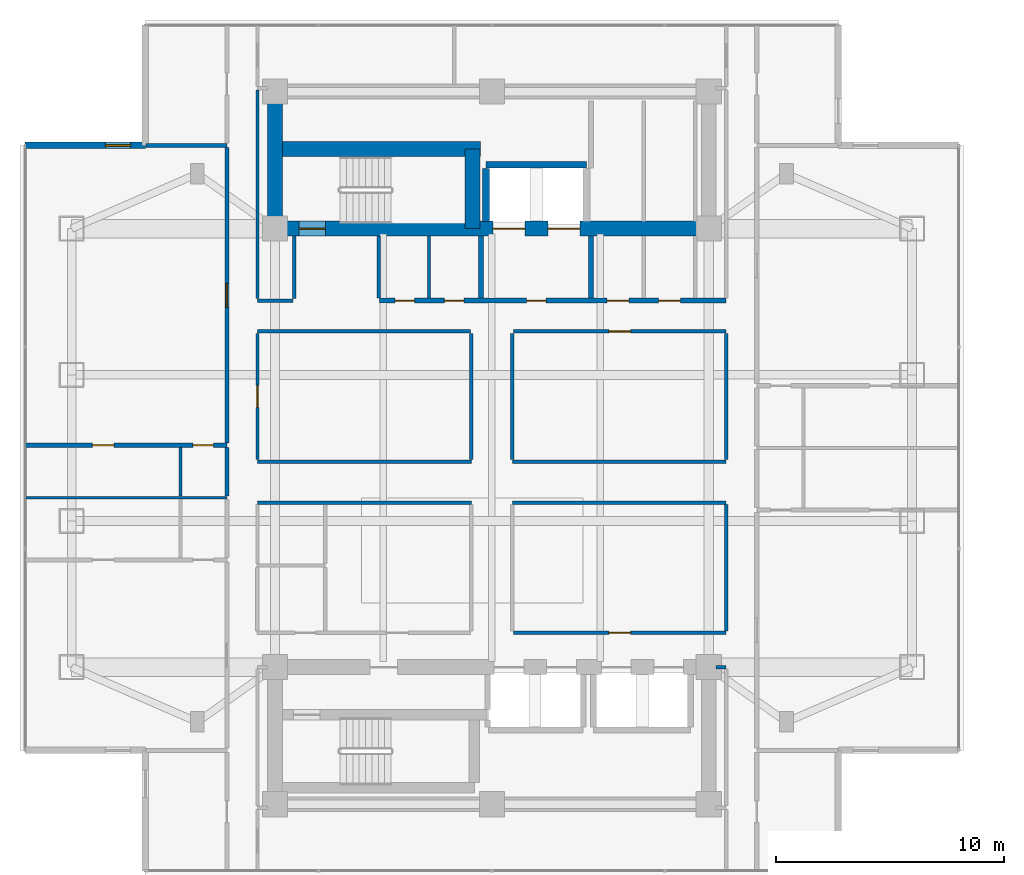
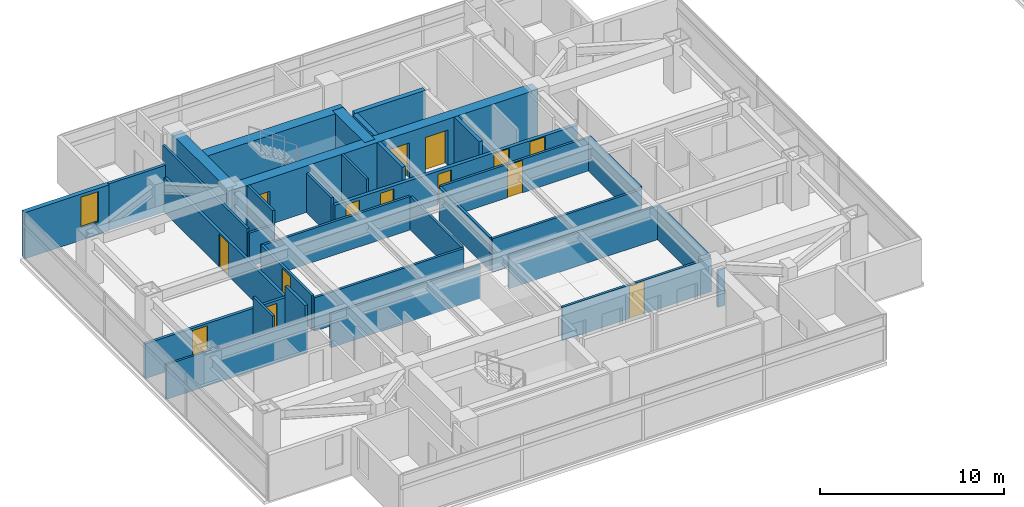
# One storey, part 15 of 27: 34 walls, 14 doors, 1 window, 15 openings.
"""IFC4 building model written with IfcOpenShell, lengths in metres."""

from ifc_helpers import new_model, si_unit, direction, frame, frame_2d, origin, place, context, subcontext, project, spatial, rectangle, extrude, material, layer, layer_set, type_object, element, fill, save


model = new_model("IFC4")

# Units and contexts
model_context = context("Model", 3, precision=1e-05, world=origin(), true_north=direction((0.0, 1.0)))
body_context = subcontext(model_context, "Body", "Model", "MODEL_VIEW")
ifc_project = project(units=[si_unit("LENGTHUNIT", "METRE"), si_unit("AREAUNIT", "SQUARE_METRE"), si_unit("VOLUMEUNIT", "CUBIC_METRE"), si_unit("PLANEANGLEUNIT", "RADIAN"), si_unit("MASSUNIT", "GRAM", prefix="KILO")], contexts=[model_context])

# Site, building, storey
site_placement = place(None, origin())
site = spatial("IfcSite", under=ifc_project, at=site_placement, CompositionType="ELEMENT")
building_placement = place(site_placement, origin())
building = spatial("IfcBuilding", under=site, at=building_placement, Name="Mirazonda Arch Towers", CompositionType="ELEMENT")
storey_placement = place(building_placement, frame((0.0, 0.0, 124.699951171875)))
storey = spatial("IfcBuildingStorey", under=building, at=storey_placement, Name="L35", CompositionType="ELEMENT", Elevation=124.699951171875)

# Wall
ifc_material_1 = material(Name="Concrete C60/75", Category="concrete")
ifc_layer_1 = layer(ifc_material_1, 0.64990234375, Name="WALL-CORE-650")
ifc_layer_set_1 = layer_set([ifc_layer_1], Name="Concrete C60/75")
wall_type_1 = type_object("IfcWallType", Name="WALL-CORE-650", PredefinedType="SHEAR", material=ifc_layer_set_1)
wall_1_placement = place(storey_placement, frame((11.0, 37.60009765625, 0.0), z_axis=(0.0, 0.0, 1.0), x_axis=(0.0, 1.0, 0.0)))
element("IfcWall", 1, at=wall_1_placement, inside=storey, type_object=wall_type_1, Name="L35 T1N-W Core Shear Wall", PredefinedType="SHEAR", context=body_context, shape_type="SweptSolid", body=[
    extrude(rectangle(XDim=6.0, YDim=0.64990234375, at=frame_2d((3.0, 0.0))), origin(), (0.0, 0.0, 1.0), 3.080078125),
])

# Wall, openings, doors
wall_2_placement = place(storey_placement, frame((11.0, 37.60009765625, 0.0), z_axis=(0.0, 0.0, 1.0), x_axis=(1.0, 0.0, 0.0)))
wall_2 = element("IfcWall", 2, at=wall_2_placement, inside=storey, type_object=wall_type_1, Name="L35 T1N-S Core Shear Wall", PredefinedType="SHEAR", context=body_context, shape_type="SweptSolid", body=[
    extrude(rectangle(XDim=19.0, YDim=0.64990234375, at=frame_2d((9.5, 0.0))), origin(), (0.0, 0.0, 1.0), 3.080078125),
])
opening_1_placement = place(wall_2_placement, frame((1.06005859375, 0.0, 0.0)))
opening_1 = element("IfcOpeningElement", 3, at=opening_1_placement, cuts=wall_2, Name="Opening DR-135", PredefinedType="OPENING", context=body_context, shape_type="SweptSolid", body=[
    extrude(rectangle(XDim=1.14990234375, YDim=2.199951171875, at=frame_2d((0.574951171875, 1.10009765625))), frame((0.0, 0.3349609375, 0.0), z_axis=(0.0, -1.0, 0.0), x_axis=(1.0, 0.0, 0.0)), (0.0, 0.0, 1.0), 0.669921875),
])
opening_2_placement = place(wall_2_placement, frame((9.550048828125, 0.0, 0.0)))
opening_2 = element("IfcOpeningElement", 4, at=opening_2_placement, cuts=wall_2, Name="Opening LD-112", PredefinedType="OPENING", context=body_context, shape_type="SweptSolid", body=[
    extrude(rectangle(XDim=1.39990234375, YDim=2.35009765625, at=frame_2d((0.699951171875, 1.175048828125))), frame((0.0, 0.3349609375, 0.0), z_axis=(0.0, -1.0, 0.0), x_axis=(1.0, 0.0, 0.0)), (0.0, 0.0, 1.0), 0.669921875),
])
opening_3_placement = place(wall_2_placement, frame((11.949951171875, 0.0, 0.0)))
opening_3 = element("IfcOpeningElement", 5, at=opening_3_placement, cuts=wall_2, Name="Opening LD-112", PredefinedType="OPENING", context=body_context, shape_type="SweptSolid", body=[
    extrude(rectangle(XDim=1.39990234375, YDim=2.35009765625, at=frame_2d((0.699951171875, 1.175048828125))), frame((0.0, 0.3349609375, 0.0), z_axis=(0.0, -1.0, 0.0), x_axis=(1.0, 0.0, 0.0)), (0.0, 0.0, 1.0), 0.669921875),
])
ifc_material_2 = material(Name="Architectural Brushed Steel S355", Category="steel")
door_type_1 = type_object("IfcDoorType", Name="DOOR-LIFT-FFL-1400", OperationType="NOTDEFINED", PredefinedType="DOOR", material=ifc_material_2)
door_1_placement = place(opening_2_placement, origin())
door_1 = element("IfcDoor", 6, at=door_1_placement, inside=storey, type_object=door_type_1, Name="L35 Lift Landing Sliding Door FFL-T1", OperationType="DOUBLE_DOOR_SLIDING", OverallHeight=2.35009765625, OverallWidth=1.39990234375, PredefinedType="DOOR", context=body_context, shape_type="SweptSolid", body=[
    extrude(rectangle(XDim=1.39990234375, YDim=2.35009765625, at=frame_2d((0.699951171875, 1.175048828125))), frame((0.0, 0.02490234375, 0.0), z_axis=(0.0, -1.0, 0.0), x_axis=(1.0, 0.0, 0.0)), (0.0, 0.0, 1.0), 0.050048828125),
])
fill(opening_2, door_1)
door_2_placement = place(opening_3_placement, origin())
door_2 = element("IfcDoor", 7, at=door_2_placement, inside=storey, type_object=door_type_1, Name="L35 Lift Landing Sliding Door SVL-T1", OperationType="DOUBLE_DOOR_SLIDING", OverallHeight=2.35009765625, OverallWidth=1.39990234375, PredefinedType="DOOR", context=body_context, shape_type="SweptSolid", body=[
    extrude(rectangle(XDim=1.39990234375, YDim=2.35009765625, at=frame_2d((0.699951171875, 1.175048828125))), frame((0.0, 0.02490234375, 0.0), z_axis=(0.0, -1.0, 0.0), x_axis=(1.0, 0.0, 0.0)), (0.0, 0.0, 1.0), 0.050048828125),
])
fill(opening_3, door_2)
door_type_2 = type_object("IfcDoorType", Name="DOOR-STAIR-FD90-1150", OperationType="NOTDEFINED", PredefinedType="DOOR", material=ifc_material_2)
door_3_placement = place(opening_1_placement, origin())
door_3 = element("IfcDoor", 8, at=door_3_placement, inside=storey, type_object=door_type_2, Name="L35 Protected Exit Stair North Door", OperationType="SINGLE_SWING_RIGHT", OverallHeight=2.199951171875, OverallWidth=1.14990234375, PredefinedType="DOOR", context=body_context, shape_type="SweptSolid", body=[
    extrude(rectangle(XDim=1.14990234375, YDim=2.199951171875, at=frame_2d((0.574951171875, 1.10009765625))), frame((0.0, 0.02490234375, 0.0), z_axis=(0.0, -1.0, 0.0), x_axis=(1.0, 0.0, 0.0)), (0.0, 0.0, 1.0), 0.050048828125),
])
fill(opening_1, door_3)

# Walls
wall_3_placement = place(storey_placement, frame((11.0, 41.093017578125, 0.0), z_axis=(0.0, 0.0, 1.0), x_axis=(1.0, 0.0, 0.0)))
element("IfcWall", 9, at=wall_3_placement, inside=storey, type_object=wall_type_1, Name="L35 T1N-STN Core Shear Wall", PredefinedType="SHEAR", context=body_context, shape_type="SweptSolid", body=[
    extrude(rectangle(XDim=9.0, YDim=0.64990234375, at=frame_2d((4.5, 0.0))), origin(), (0.0, 0.0, 1.0), 3.080078125),
])
wall_4_placement = place(storey_placement, frame((19.64990234375, 37.60009765625, 0.0), z_axis=(0.0, 0.0, 1.0), x_axis=(0.0, 1.0, 0.0)))
element("IfcWall", 10, at=wall_4_placement, inside=storey, type_object=wall_type_1, Name="L35 T1N-STE Core Shear Wall", PredefinedType="SHEAR", context=body_context, shape_type="SweptSolid", body=[
    extrude(rectangle(XDim=3.492919921875, YDim=0.64990234375, at=frame_2d((1.74658203125, 0.0))), origin(), (0.0, 0.0, 1.0), 3.080078125),
])

# Wall, opening, window
ifc_material_3 = material(Name="Precast Concrete C40/50", Category="concrete")
ifc_layer_2 = layer(ifc_material_3, 0.280029296875, Name="WALL-EXT-WALL-280")
ifc_layer_set_2 = layer_set([ifc_layer_2], Name="Precast Concrete C40/50")
wall_type_2 = type_object("IfcWallType", Name="WALL-EXT-WALL-280", PredefinedType="SOLIDWALL", material=ifc_layer_set_2)
wall_5_placement = place(storey_placement, frame((5.330078125, 41.24609375, 0.0), z_axis=(0.0, 0.0, 1.0), x_axis=(-1.0, 0.0, 0.0)))
wall_5 = element("IfcWall", 11, at=wall_5_placement, inside=storey, type_object=wall_type_2, Name="L35 T1 Corner Notch Return Wall WL-L35-T1-CNW1", PredefinedType="SOLIDWALL", context=body_context, shape_type="SweptSolid", body=[
    extrude(rectangle(XDim=5.27001953125, YDim=0.280029296875, at=frame_2d((2.635009765625, 0.0))), origin(), (0.0, 0.0, 1.0), 3.06005859375),
])
opening_4_placement = place(wall_5_placement, frame((0.64990234375, 0.0, 0.85009765625)))
opening_4 = element("IfcOpeningElement", 12, at=opening_4_placement, cuts=wall_5, Name="Opening WN-108", PredefinedType="OPENING", context=body_context, shape_type="SweptSolid", body=[
    extrude(rectangle(XDim=1.10009765625, YDim=2.0, at=frame_2d((0.550048828125, 1.0))), frame((0.0, 0.14990234375, 0.0), z_axis=(0.0, -1.0, 0.0), x_axis=(1.0, 0.0, 0.0)), (0.0, 0.0, 1.0), 0.300048828125),
])
ifc_material_4 = material(Name="Insulated Low-E Solar Glass", Category="glass")
window_type = type_object("IfcWindowType", Name="WIN-NOTCH-1100x2000", PartitioningType="SINGLE_PANEL", PredefinedType="WINDOW", material=ifc_material_4)
window_placement = place(opening_4_placement, origin())
window = element("IfcWindow", 13, at=window_placement, inside=storey, type_object=window_type, Name="L35 Punched Facade Window WN-L35-T1-CNW1", OverallHeight=2.0, OverallWidth=1.10009765625, PartitioningType="SINGLE_PANEL", PredefinedType="WINDOW", context=body_context, shape_type="SweptSolid", body=[
    extrude(rectangle(XDim=1.10009765625, YDim=2.0, at=frame_2d((0.550048828125, 1.0))), frame((0.0, 0.030029296875, 0.0), z_axis=(0.0, -1.0, 0.0), x_axis=(1.0, 0.0, 0.0)), (0.0, 0.0, 1.0), 0.06005859375),
])
fill(opening_4, window)

# Wall, openings, doors
ifc_material_5 = material(Name="Concrete C40/50", Category="concrete")
ifc_layer_3 = layer(ifc_material_5, 0.219970703125, Name="WALL-FFL-220")
ifc_layer_set_3 = layer_set([ifc_layer_3], Name="Concrete C40/50")
wall_type_3 = type_object("IfcWallType", Name="WALL-FFL-220", PredefinedType="SOLIDWALL", material=ifc_layer_set_3)
wall_6_placement = place(storey_placement, frame((15.590087890625, 34.449951171875, 0.0), z_axis=(0.0, 0.0, 1.0), x_axis=(1.0, 0.0, 0.0)))
wall_6 = element("IfcWall", 14, at=wall_6_placement, inside=storey, type_object=wall_type_3, Name="L35 Interior Partition 046", PredefinedType="SOLIDWALL", context=body_context, shape_type="SweptSolid", body=[
    extrude(rectangle(XDim=15.169921875, YDim=0.219970703125, at=frame_2d((7.5849609375, 0.0))), origin(), (0.0, 0.0, 1.0), 2.216064453125),
])
opening_5_placement = place(wall_6_placement, frame((6.43505859375, 0.0, 0.0)))
opening_5 = element("IfcOpeningElement", 15, at=opening_5_placement, cuts=wall_6, Name="Opening DR-128", PredefinedType="OPENING", context=body_context, shape_type="SweptSolid", body=[
    extrude(rectangle(XDim=0.85009765625, YDim=2.010009765625, at=frame_2d((0.425048828125, 1.0048828125))), frame((0.0, 0.119873046875, 0.0), z_axis=(0.0, -1.0, 0.0), x_axis=(1.0, 0.0, 0.0)), (0.0, 0.0, 1.0), 0.239990234375),
])
opening_6_placement = place(wall_6_placement, frame((9.9599609375, 0.0, 0.0)))
opening_6 = element("IfcOpeningElement", 16, at=opening_6_placement, cuts=wall_6, Name="Opening DR-104", PredefinedType="OPENING", context=body_context, shape_type="SweptSolid", body=[
    extrude(rectangle(XDim=0.949951171875, YDim=2.14990234375, at=frame_2d((0.47509765625, 1.074951171875))), frame((0.0, 0.119873046875, 0.0), z_axis=(0.0, -1.0, 0.0), x_axis=(1.0, 0.0, 0.0)), (0.0, 0.0, 1.0), 0.239990234375),
])
opening_7_placement = place(wall_6_placement, frame((12.2099609375, 0.0, 0.0)))
opening_7 = element("IfcOpeningElement", 17, at=opening_7_placement, cuts=wall_6, Name="Opening DR-104", PredefinedType="OPENING", context=body_context, shape_type="SweptSolid", body=[
    extrude(rectangle(XDim=0.949951171875, YDim=2.14990234375, at=frame_2d((0.47509765625, 1.074951171875))), frame((0.0, 0.119873046875, 0.0), z_axis=(0.0, -1.0, 0.0), x_axis=(1.0, 0.0, 0.0)), (0.0, 0.0, 1.0), 0.239990234375),
])
opening_8_placement = place(wall_6_placement, frame((0.675048828125, 0.0, 0.0)))
opening_8 = element("IfcOpeningElement", 18, at=opening_8_placement, cuts=wall_6, Name="Opening DR-128", PredefinedType="OPENING", context=body_context, shape_type="SweptSolid", body=[
    extrude(rectangle(XDim=0.85009765625, YDim=2.010009765625, at=frame_2d((0.425048828125, 1.0048828125))), frame((0.0, 0.119873046875, 0.0), z_axis=(0.0, -1.0, 0.0), x_axis=(1.0, 0.0, 0.0)), (0.0, 0.0, 1.0), 0.239990234375),
])
opening_9_placement = place(wall_6_placement, frame((2.8349609375, 0.0, 0.0)))
opening_9 = element("IfcOpeningElement", 19, at=opening_9_placement, cuts=wall_6, Name="Opening DR-128", PredefinedType="OPENING", context=body_context, shape_type="SweptSolid", body=[
    extrude(rectangle(XDim=0.85009765625, YDim=2.010009765625, at=frame_2d((0.425048828125, 1.0048828125))), frame((0.0, 0.119873046875, 0.0), z_axis=(0.0, -1.0, 0.0), x_axis=(1.0, 0.0, 0.0)), (0.0, 0.0, 1.0), 0.239990234375),
])
door_type_3 = type_object("IfcDoorType", Name="DOOR-RISER-FD60-850", OperationType="NOTDEFINED", PredefinedType="DOOR", material=ifc_material_2)
door_4_placement = place(opening_5_placement, origin())
door_4 = element("IfcDoor", 20, at=door_4_placement, inside=storey, type_object=door_type_3, Name="L35 Firefighting Lift Lobby Door", OperationType="SINGLE_SWING_LEFT", OverallHeight=2.010009765625, OverallWidth=0.85009765625, PredefinedType="DOOR", context=body_context, shape_type="SweptSolid", body=[
    extrude(rectangle(XDim=0.85009765625, YDim=2.010009765625, at=frame_2d((0.425048828125, 1.0048828125))), frame((0.0, 0.02490234375, 0.0), z_axis=(0.0, -1.0, 0.0), x_axis=(1.0, 0.0, 0.0)), (0.0, 0.0, 1.0), 0.050048828125),
])
fill(opening_5, door_4)
door_5_placement = place(opening_8_placement, origin())
door_5 = element("IfcDoor", 21, at=door_5_placement, inside=storey, type_object=door_type_3, Name="L35 Electrical Room Door", OperationType="SINGLE_SWING_RIGHT", OverallHeight=2.010009765625, OverallWidth=0.85009765625, PredefinedType="DOOR", context=body_context, shape_type="SweptSolid", body=[
    extrude(rectangle(XDim=0.85009765625, YDim=2.010009765625, at=frame_2d((0.425048828125, 1.0048828125))), frame((0.0, 0.02490234375, 0.0), z_axis=(0.0, -1.0, 0.0), x_axis=(1.0, 0.0, 0.0)), (0.0, 0.0, 1.0), 0.050048828125),
])
fill(opening_8, door_5)
door_6_placement = place(opening_9_placement, origin())
door_6 = element("IfcDoor", 22, at=door_6_placement, inside=storey, type_object=door_type_3, Name="L35 Cleaners & Housekeeping Store Door", OperationType="SINGLE_SWING_LEFT", OverallHeight=2.010009765625, OverallWidth=0.85009765625, PredefinedType="DOOR", context=body_context, shape_type="SweptSolid", body=[
    extrude(rectangle(XDim=0.85009765625, YDim=2.010009765625, at=frame_2d((0.425048828125, 1.0048828125))), frame((0.0, 0.02490234375, 0.0), z_axis=(0.0, -1.0, 0.0), x_axis=(1.0, 0.0, 0.0)), (0.0, 0.0, 1.0), 0.050048828125),
])
fill(opening_9, door_6)
door_type_4 = type_object("IfcDoorType", Name="DOOR-ROOM-950", OperationType="NOTDEFINED", PredefinedType="DOOR", material=ifc_material_2)
door_7_placement = place(opening_6_placement, origin())
door_7 = element("IfcDoor", 23, at=door_7_placement, inside=storey, type_object=door_type_4, Name="L35 Executive Reading Library Door", OperationType="SINGLE_SWING_RIGHT", OverallHeight=2.14990234375, OverallWidth=0.949951171875, PredefinedType="DOOR", context=body_context, shape_type="SweptSolid", body=[
    extrude(rectangle(XDim=0.949951171875, YDim=2.14990234375, at=frame_2d((0.47509765625, 1.074951171875))), frame((0.0, 0.02490234375, 0.0), z_axis=(0.0, -1.0, 0.0), x_axis=(1.0, 0.0, 0.0)), (0.0, 0.0, 1.0), 0.050048828125),
])
fill(opening_6, door_7)
door_8_placement = place(opening_7_placement, origin())
door_8 = element("IfcDoor", 24, at=door_8_placement, inside=storey, type_object=door_type_4, Name="L35 Private Quiet Study Door", OperationType="SINGLE_SWING_LEFT", OverallHeight=2.14990234375, OverallWidth=0.949951171875, PredefinedType="DOOR", context=body_context, shape_type="SweptSolid", body=[
    extrude(rectangle(XDim=0.949951171875, YDim=2.14990234375, at=frame_2d((0.47509765625, 1.074951171875))), frame((0.0, 0.02490234375, 0.0), z_axis=(0.0, -1.0, 0.0), x_axis=(1.0, 0.0, 0.0)), (0.0, 0.0, 1.0), 0.050048828125),
])
fill(opening_7, door_8)

# Walls
for number, where, z_axis, x_axis, name in (
    (25, (20.02490234375, 34.570068359375, 0.0), (0.0, 0.0, 1.0), (0.0, 1.0, 0.0), "L35 Interior Partition 083"),
    (26, (24.85009765625, 34.570068359375, 0.0), (0.0, 0.0, 1.0), (0.0, 1.0, 0.0), "L35 Interior Partition 092"),
):
    element("IfcWall", number, at=place(storey_placement, frame(where, z_axis=z_axis, x_axis=x_axis)), inside=storey, type_object=wall_type_3, Name=name, PredefinedType="SOLIDWALL", context=body_context, shape_type="SweptSolid", body=[
        extrude(rectangle(XDim=2.7099609375, YDim=0.219970703125, at=frame_2d((1.35498046875, 0.0))), origin(), (0.0, 0.0, 1.0), 3.080078125),
    ])
ifc_material_6 = material(Name="Fire-Rated Gypsum Stud Partition")
ifc_layer_4 = layer(ifc_material_6, 0.14990234375, Name="WALL-PART-CORR-150")
ifc_layer_set_4 = layer_set([ifc_layer_4], Name="Fire-Rated Gypsum Stud Partition")
wall_type_4 = type_object("IfcWallType", Name="WALL-PART-CORR-150", PredefinedType="PARTITIONING", material=ifc_layer_set_4)
wall_7_placement = place(storey_placement, frame((30.320068359375, 18.39990234375, 0.0), z_axis=(0.0, 0.0, 1.0), x_axis=(1.0, 0.0, 0.0)))
element("IfcWall", 27, at=wall_7_placement, inside=storey, type_object=wall_type_4, Name="L35 Interior Partition 013", PredefinedType="PARTITIONING", context=body_context, shape_type="SweptSolid", body=[
    extrude(rectangle(XDim=0.43994140625, YDim=0.14990234375, at=frame_2d((0.219970703125, 0.0))), origin(), (0.0, 0.0, 1.0), 2.4560546875),
])

# Wall, opening, door
wall_8_placement = place(storey_placement, frame((21.43994140625, 19.89990234375, 0.0), z_axis=(0.0, 0.0, 1.0), x_axis=(1.0, 0.0, 0.0)))
wall_8 = element("IfcWall", 28, at=wall_8_placement, inside=storey, type_object=wall_type_4, Name="L35 Interior Partition 016", PredefinedType="PARTITIONING", context=body_context, shape_type="SweptSolid", body=[
    extrude(rectangle(XDim=9.320068359375, YDim=0.14990234375, at=frame_2d((4.66015625, 0.0))), origin(), (0.0, 0.0, 1.0), 2.216064453125),
])
opening_10_placement = place(wall_8_placement, frame((4.18505859375, 0.0, 0.0)))
opening_10 = element("IfcOpeningElement", 29, at=opening_10_placement, cuts=wall_8, Name="Opening DR-104", PredefinedType="OPENING", context=body_context, shape_type="SweptSolid", body=[
    extrude(rectangle(XDim=0.949951171875, YDim=2.14990234375, at=frame_2d((0.47509765625, 1.074951171875))), frame((0.0, 0.0849609375, 0.0), z_axis=(0.0, -1.0, 0.0), x_axis=(1.0, 0.0, 0.0)), (0.0, 0.0, 1.0), 0.169921875),
])
door_9_placement = place(opening_10_placement, origin())
door_9 = element("IfcDoor", 30, at=door_9_placement, inside=storey, type_object=door_type_4, Name="L35 L35 South-East Cruciform Lounge Door", OperationType="SINGLE_SWING_LEFT", OverallHeight=2.14990234375, OverallWidth=0.949951171875, PredefinedType="DOOR", context=body_context, shape_type="SweptSolid", body=[
    extrude(rectangle(XDim=0.949951171875, YDim=2.14990234375, at=frame_2d((0.47509765625, 1.074951171875))), frame((0.0, 0.02490234375, 0.0), z_axis=(0.0, -1.0, 0.0), x_axis=(1.0, 0.0, 0.0)), (0.0, 0.0, 1.0), 0.050048828125),
])
fill(opening_10, door_9)

# Walls
for number, where, z_axis, x_axis, name in (
    (31, (10.239990234375, 25.60009765625, 0.0), (0.0, 0.0, 1.0), (1.0, 0.0, 0.0), "L35 Interior Partition 027"),
    (32, (21.39990234375, 25.60009765625, 0.0), (0.0, 0.0, 1.0), (1.0, 0.0, 0.0), "L35 Interior Partition 028"),
    (33, (10.239990234375, 27.39990234375, 0.0), (0.0, 0.0, 1.0), (1.0, 0.0, 0.0), "L35 Interior Partition 032"),
    (34, (21.39990234375, 27.39990234375, 0.0), (0.0, 0.0, 1.0), (1.0, 0.0, 0.0), "L35 Interior Partition 033"),
):
    element("IfcWall", number, at=place(storey_placement, frame(where, z_axis=z_axis, x_axis=x_axis)), inside=storey, type_object=wall_type_4, Name=name, PredefinedType="PARTITIONING", context=body_context, shape_type="SweptSolid", body=[
        extrude(rectangle(XDim=9.360107421875, YDim=0.14990234375, at=frame_2d((4.68017578125, 0.0))), origin(), (0.0, 0.0, 1.0), 2.216064453125),
    ])
wall_9_placement = place(storey_placement, frame((10.239990234375, 33.10009765625, 0.0), z_axis=(0.0, 0.0, 1.0), x_axis=(1.0, 0.0, 0.0)))
element("IfcWall", 35, at=wall_9_placement, inside=storey, type_object=wall_type_4, Name="L35 Interior Partition 043", PredefinedType="PARTITIONING", context=body_context, shape_type="SweptSolid", body=[
    extrude(rectangle(XDim=9.320068359375, YDim=0.14990234375, at=frame_2d((4.66015625, 0.0))), origin(), (0.0, 0.0, 1.0), 2.216064453125),
])

# Wall, opening, door
wall_10_placement = place(storey_placement, frame((21.43994140625, 33.10009765625, 0.0), z_axis=(0.0, 0.0, 1.0), x_axis=(1.0, 0.0, 0.0)))
wall_10 = element("IfcWall", 36, at=wall_10_placement, inside=storey, type_object=wall_type_4, Name="L35 Interior Partition 044", PredefinedType="PARTITIONING", context=body_context, shape_type="SweptSolid", body=[
    extrude(rectangle(XDim=9.320068359375, YDim=0.14990234375, at=frame_2d((4.66015625, 0.0))), origin(), (0.0, 0.0, 1.0), 2.216064453125),
])
opening_11_placement = place(wall_10_placement, frame((4.18505859375, 0.0, 0.0)))
opening_11 = element("IfcOpeningElement", 37, at=opening_11_placement, cuts=wall_10, Name="Opening DR-104", PredefinedType="OPENING", context=body_context, shape_type="SweptSolid", body=[
    extrude(rectangle(XDim=0.949951171875, YDim=2.14990234375, at=frame_2d((0.47509765625, 1.074951171875))), frame((0.0, 0.0849609375, 0.0), z_axis=(0.0, -1.0, 0.0), x_axis=(1.0, 0.0, 0.0)), (0.0, 0.0, 1.0), 0.169921875),
])
door_10_placement = place(opening_11_placement, origin())
door_10 = element("IfcDoor", 38, at=door_10_placement, inside=storey, type_object=door_type_4, Name="L35 L35 North-East Cruciform Study Door", OperationType="SINGLE_SWING_RIGHT", OverallHeight=2.14990234375, OverallWidth=0.949951171875, PredefinedType="DOOR", context=body_context, shape_type="SweptSolid", body=[
    extrude(rectangle(XDim=0.949951171875, YDim=2.14990234375, at=frame_2d((0.47509765625, 1.074951171875))), frame((0.0, 0.02490234375, 0.0), z_axis=(0.0, -1.0, 0.0), x_axis=(1.0, 0.0, 0.0)), (0.0, 0.0, 1.0), 0.050048828125),
])
fill(opening_11, door_10)

# Wall
wall_11_placement = place(storey_placement, frame((10.239990234375, 34.449951171875, 0.0), z_axis=(0.0, 0.0, 1.0), x_axis=(1.0, 0.0, 0.0)))
element("IfcWall", 39, at=wall_11_placement, inside=storey, type_object=wall_type_4, Name="L35 Interior Partition 045", PredefinedType="PARTITIONING", context=body_context, shape_type="SweptSolid", body=[
    extrude(rectangle(XDim=1.56005859375, YDim=0.14990234375, at=frame_2d((0.780029296875, 0.0))), origin(), (0.0, 0.0, 1.0), 2.216064453125),
])

# Wall, opening, door
wall_12_placement = place(storey_placement, frame((10.239990234375, 27.485107421875, 0.0), z_axis=(0.0, 0.0, 1.0), x_axis=(0.0, 1.0, 0.0)))
wall_12 = element("IfcWall", 40, at=wall_12_placement, inside=storey, type_object=wall_type_4, Name="L35 Interior Partition 071", PredefinedType="PARTITIONING", context=body_context, shape_type="SweptSolid", body=[
    extrude(rectangle(XDim=5.52978515625, YDim=0.14990234375, at=frame_2d((2.764892578125, 0.0))), origin(), (0.0, 0.0, 1.0), 2.299072265625),
])
opening_12_placement = place(wall_12_placement, frame((2.2900390625, 0.0, 0.0)))
opening_12 = element("IfcOpeningElement", 41, at=opening_12_placement, cuts=wall_12, Name="Opening DR-104", PredefinedType="OPENING", context=body_context, shape_type="SweptSolid", body=[
    extrude(rectangle(XDim=0.949951171875, YDim=2.14990234375, at=frame_2d((0.47509765625, 1.074951171875))), frame((0.0, 0.0849609375, 0.0), z_axis=(0.0, -1.0, 0.0), x_axis=(1.0, 0.0, 0.0)), (0.0, 0.0, 1.0), 0.169921875),
])
door_11_placement = place(opening_12_placement, origin())
door_11 = element("IfcDoor", 42, at=door_11_placement, inside=storey, type_object=door_type_4, Name="L35 L35 West Courtyard Reading Salon Door", OperationType="SINGLE_SWING_RIGHT", OverallHeight=2.14990234375, OverallWidth=0.949951171875, PredefinedType="DOOR", context=body_context, shape_type="SweptSolid", body=[
    extrude(rectangle(XDim=0.949951171875, YDim=2.14990234375, at=frame_2d((0.47509765625, 1.074951171875))), frame((0.0, 0.02490234375, 0.0), z_axis=(0.0, -1.0, 0.0), x_axis=(1.0, 0.0, 0.0)), (0.0, 0.0, 1.0), 0.050048828125),
])
fill(opening_12, door_11)

# Walls
wall_13_placement = place(storey_placement, frame((10.239990234375, 34.534912109375, 0.0), z_axis=(0.0, 0.0, 1.0), x_axis=(0.0, 1.0, 0.0)))
element("IfcWall", 43, at=wall_13_placement, inside=storey, type_object=wall_type_4, Name="L35 Interior Partition 072", PredefinedType="PARTITIONING", context=body_context, shape_type="SweptSolid", body=[
    extrude(rectangle(XDim=9.130126953125, YDim=0.14990234375, at=frame_2d((4.56494140625, 0.0))), origin(), (0.0, 0.0, 1.0), 2.4560546875),
])
wall_14_placement = place(storey_placement, frame((11.85009765625, 34.534912109375, 0.0), z_axis=(0.0, 0.0, 1.0), x_axis=(0.0, 1.0, 0.0)))
element("IfcWall", 44, at=wall_14_placement, inside=storey, type_object=wall_type_4, Name="L35 Interior Partition 074", PredefinedType="PARTITIONING", context=body_context, shape_type="SweptSolid", body=[
    extrude(rectangle(XDim=2.7451171875, YDim=0.14990234375, at=frame_2d((1.37255859375, 0.0))), origin(), (0.0, 0.0, 1.0), 3.080078125),
])
wall_15_placement = place(storey_placement, frame((15.550048828125, 34.570068359375, 0.0), z_axis=(0.0, 0.0, 1.0), x_axis=(0.0, 1.0, 0.0)))
element("IfcWall", 45, at=wall_15_placement, inside=storey, type_object=wall_type_4, Name="L35 Interior Partition 077", PredefinedType="PARTITIONING", context=body_context, shape_type="SweptSolid", body=[
    extrude(rectangle(XDim=2.7099609375, YDim=0.14990234375, at=frame_2d((1.35498046875, 0.0))), origin(), (0.0, 0.0, 1.0), 2.609130859375),
])
wall_16_placement = place(storey_placement, frame((17.75, 34.570068359375, 0.0), z_axis=(0.0, 0.0, 1.0), x_axis=(0.0, 1.0, 0.0)))
element("IfcWall", 46, at=wall_16_placement, inside=storey, type_object=wall_type_4, Name="L35 Interior Partition 078", PredefinedType="PARTITIONING", context=body_context, shape_type="SweptSolid", body=[
    extrude(rectangle(XDim=2.7099609375, YDim=0.14990234375, at=frame_2d((1.35498046875, 0.0))), origin(), (0.0, 0.0, 1.0), 3.080078125),
])
for number, where, z_axis, x_axis, name in (
    (47, (19.60009765625, 27.485107421875, 0.0), (0.0, 0.0, 1.0), (0.0, 1.0, 0.0), "L35 Interior Partition 081"),
    (48, (21.39990234375, 27.485107421875, 0.0), (0.0, 0.0, 1.0), (0.0, 1.0, 0.0), "L35 Interior Partition 088"),
):
    element("IfcWall", number, at=place(storey_placement, frame(where, z_axis=z_axis, x_axis=x_axis)), inside=storey, type_object=wall_type_4, Name=name, PredefinedType="PARTITIONING", context=body_context, shape_type="SweptSolid", body=[
        extrude(rectangle(XDim=5.52978515625, YDim=0.14990234375, at=frame_2d((2.764892578125, 0.0))), origin(), (0.0, 0.0, 1.0), 2.216064453125),
    ])
for number, where, z_axis, x_axis, name in (
    (49, (30.760009765625, 19.985107421875, 0.0), (0.0, 0.0, 1.0), (0.0, 1.0, 0.0), "L35 Interior Partition 101"),
    (50, (30.760009765625, 27.485107421875, 0.0), (0.0, 0.0, 1.0), (0.0, 1.0, 0.0), "L35 Interior Partition 102"),
):
    element("IfcWall", number, at=place(storey_placement, frame(where, z_axis=z_axis, x_axis=x_axis)), inside=storey, type_object=wall_type_4, Name=name, PredefinedType="PARTITIONING", context=body_context, shape_type="SweptSolid", body=[
        extrude(rectangle(XDim=5.52978515625, YDim=0.14990234375, at=frame_2d((2.764892578125, 0.0))), origin(), (0.0, 0.0, 1.0), 2.299072265625),
    ])

# Wall, openings, doors
ifc_material_7 = material(Name="Fire-Rated Gypsum Twin-Stud Assembly")
ifc_layer_5 = layer(ifc_material_7, 0.179931640625, Name="WALL-PART-DEMISE-180")
ifc_layer_set_5 = layer_set([ifc_layer_5], Name="Fire-Rated Gypsum Twin-Stud Assembly")
wall_type_5 = type_object("IfcWallType", Name="WALL-PART-DEMISE-180", PredefinedType="PARTITIONING", material=ifc_layer_set_5)
wall_17_placement = place(storey_placement, frame((0.06005859375, 28.116943359375, 0.0), z_axis=(0.0, 0.0, 1.0), x_axis=(1.0, 0.0, 0.0)))
wall_17 = element("IfcWall", 51, at=wall_17_placement, inside=storey, type_object=wall_type_5, Name="L35 Interior Partition 036", PredefinedType="PARTITIONING", context=body_context, shape_type="SweptSolid", body=[
    extrude(rectangle(XDim=8.83984375, YDim=0.179931640625, at=frame_2d((4.419921875, 0.0))), origin(), (0.0, 0.0, 1.0), 2.299072265625),
])
opening_13_placement = place(wall_17_placement, frame((2.945068359375, 0.0, 0.0)))
opening_13 = element("IfcOpeningElement", 52, at=opening_13_placement, cuts=wall_17, Name="Opening DR-104", PredefinedType="OPENING", context=body_context, shape_type="SweptSolid", body=[
    extrude(rectangle(XDim=0.949951171875, YDim=2.14990234375, at=frame_2d((0.47509765625, 1.074951171875))), frame((0.0, 0.099853515625, 0.0), z_axis=(0.0, -1.0, 0.0), x_axis=(1.0, 0.0, 0.0)), (0.0, 0.0, 1.0), 0.199951171875),
])
opening_14_placement = place(wall_17_placement, frame((7.35009765625, 0.0, 0.0)))
opening_14 = element("IfcOpeningElement", 53, at=opening_14_placement, cuts=wall_17, Name="Opening DR-120", PredefinedType="OPENING", context=body_context, shape_type="SweptSolid", body=[
    extrude(rectangle(XDim=0.89990234375, YDim=2.10009765625, at=frame_2d((0.449951171875, 1.050048828125))), frame((0.0, 0.099853515625, 0.0), z_axis=(0.0, -1.0, 0.0), x_axis=(1.0, 0.0, 0.0)), (0.0, 0.0, 1.0), 0.199951171875),
])
door_12_placement = place(opening_13_placement, origin())
door_12 = element("IfcDoor", 54, at=door_12_placement, inside=storey, type_object=door_type_4, Name="L35 Suite Bedroom 2 Door", OperationType="SINGLE_SWING_LEFT", OverallHeight=2.14990234375, OverallWidth=0.949951171875, PredefinedType="DOOR", context=body_context, shape_type="SweptSolid", body=[
    extrude(rectangle(XDim=0.949951171875, YDim=2.14990234375, at=frame_2d((0.47509765625, 1.074951171875))), frame((0.0, 0.02490234375, 0.0), z_axis=(0.0, -1.0, 0.0), x_axis=(1.0, 0.0, 0.0)), (0.0, 0.0, 1.0), 0.050048828125),
])
fill(opening_13, door_12)
door_type_5 = type_object("IfcDoorType", Name="DOOR-WC-900", OperationType="NOTDEFINED", PredefinedType="DOOR", material=ifc_material_2)
door_13_placement = place(opening_14_placement, origin())
door_13 = element("IfcDoor", 55, at=door_13_placement, inside=storey, type_object=door_type_5, Name="L35 Suite En-Suite Bathroom 2 Door", OperationType="SINGLE_SWING_RIGHT", OverallHeight=2.10009765625, OverallWidth=0.89990234375, PredefinedType="DOOR", context=body_context, shape_type="SweptSolid", body=[
    extrude(rectangle(XDim=0.89990234375, YDim=2.10009765625, at=frame_2d((0.449951171875, 1.050048828125))), frame((0.0, 0.02490234375, 0.0), z_axis=(0.0, -1.0, 0.0), x_axis=(1.0, 0.0, 0.0)), (0.0, 0.0, 1.0), 0.050048828125),
])
fill(opening_14, door_13)

# Walls
wall_18_placement = place(storey_placement, frame((5.35009765625, 41.24609375, 0.0), z_axis=(0.0, 0.0, 1.0), x_axis=(1.0, 0.0, 0.0)))
element("IfcWall", 56, at=wall_18_placement, inside=storey, type_object=wall_type_5, Name="L35 Interior Partition 055", PredefinedType="PARTITIONING", context=body_context, shape_type="SweptSolid", body=[
    extrude(rectangle(XDim=3.5498046875, YDim=0.179931640625, at=frame_2d((1.77490234375, 0.0))), origin(), (0.0, 0.0, 1.0), 3.080078125),
])
wall_19_placement = place(storey_placement, frame((8.89990234375, 25.889404296875, 0.0), z_axis=(0.0, 0.0, 1.0), x_axis=(0.0, 1.0, 0.0)))
element("IfcWall", 57, at=wall_19_placement, inside=storey, type_object=wall_type_5, Name="L35 Interior Partition 064", PredefinedType="PARTITIONING", context=body_context, shape_type="SweptSolid", body=[
    extrude(rectangle(XDim=2.127685546875, YDim=0.179931640625, at=frame_2d((1.06396484375, 0.0))), origin(), (0.0, 0.0, 1.0), 3.080078125),
])

# Wall, opening, door
wall_20_placement = place(storey_placement, frame((8.89990234375, 28.217041015625, 0.0), z_axis=(0.0, 0.0, 1.0), x_axis=(0.0, 1.0, 0.0)))
wall_20 = element("IfcWall", 58, at=wall_20_placement, inside=storey, type_object=wall_type_5, Name="L35 Interior Partition 065", PredefinedType="PARTITIONING", context=body_context, shape_type="SweptSolid", body=[
    extrude(rectangle(XDim=12.928955078125, YDim=0.179931640625, at=frame_2d((6.46435546875, 0.0))), origin(), (0.0, 0.0, 1.0), 2.299072265625),
])
opening_15_placement = place(wall_20_placement, frame((5.939453125, 0.0, 0.0)))
opening_15 = element("IfcOpeningElement", 59, at=opening_15_placement, cuts=wall_20, Name="Opening DR-121", PredefinedType="OPENING", context=body_context, shape_type="SweptSolid", body=[
    extrude(rectangle(XDim=1.050048828125, YDim=2.199951171875, at=frame_2d((0.52490234375, 1.10009765625))), frame((0.0, 0.099853515625, 0.0), z_axis=(0.0, -1.0, 0.0), x_axis=(1.0, 0.0, 0.0)), (0.0, 0.0, 1.0), 0.199951171875),
])
door_type_6 = type_object("IfcDoorType", Name="DOOR-SUITE-FD60-1050", OperationType="NOTDEFINED", PredefinedType="DOOR", material=ifc_material_2)
door_14_placement = place(opening_15_placement, origin())
door_14 = element("IfcDoor", 60, at=door_14_placement, inside=storey, type_object=door_type_6, Name="L35 Presidential Hotel Suite 2 Door", OperationType="SINGLE_SWING_RIGHT", OverallHeight=2.199951171875, OverallWidth=1.050048828125, PredefinedType="DOOR", context=body_context, shape_type="SweptSolid", body=[
    extrude(rectangle(XDim=1.050048828125, YDim=2.199951171875, at=frame_2d((0.52490234375, 1.10009765625))), frame((0.0, 0.02490234375, 0.0), z_axis=(0.0, -1.0, 0.0), x_axis=(1.0, 0.0, 0.0)), (0.0, 0.0, 1.0), 0.050048828125),
])
fill(opening_15, door_14)

# Walls
ifc_material_8 = material(Name="Acoustic Fire-Rated Gypsum Partition")
ifc_layer_6 = layer(ifc_material_8, 0.125, Name="WALL-PART-UNIT-125")
ifc_layer_set_6 = layer_set([ifc_layer_6], Name="Acoustic Fire-Rated Gypsum Partition")
wall_type_6 = type_object("IfcWallType", Name="WALL-PART-UNIT-125", PredefinedType="PARTITIONING", material=ifc_layer_set_6)
wall_21_placement = place(storey_placement, frame((0.06005859375, 25.81689453125, 0.0), z_axis=(0.0, 0.0, 1.0), x_axis=(1.0, 0.0, 0.0)))
element("IfcWall", 61, at=wall_21_placement, inside=storey, type_object=wall_type_6, Name="L35 Interior Partition 030", PredefinedType="PARTITIONING", context=body_context, shape_type="SweptSolid", body=[
    extrude(rectangle(XDim=8.83984375, YDim=0.125, at=frame_2d((4.419921875, 0.0))), origin(), (0.0, 0.0, 1.0), 2.299072265625),
])
wall_22_placement = place(storey_placement, frame((6.860107421875, 25.889404296875, 0.0), z_axis=(0.0, 0.0, 1.0), x_axis=(0.0, 1.0, 0.0)))
element("IfcWall", 62, at=wall_22_placement, inside=storey, type_object=wall_type_6, Name="L35 Interior Partition 060", PredefinedType="PARTITIONING", context=body_context, shape_type="SweptSolid", body=[
    extrude(rectangle(XDim=2.127685546875, YDim=0.125, at=frame_2d((1.06396484375, 0.0))), origin(), (0.0, 0.0, 1.0), 3.080078125),
])
ifc_material_9 = material(Name="Concrete C50/60", Category="concrete")
ifc_layer_7 = layer(ifc_material_9, 0.300048828125, Name="WALL-SHAFT-300")
ifc_layer_set_7 = layer_set([ifc_layer_7], Name="Concrete C50/60")
wall_type_7 = type_object("IfcWallType", Name="WALL-SHAFT-300", PredefinedType="SOLIDWALL", material=ifc_layer_set_7)
wall_23_placement = place(storey_placement, frame((20.25, 40.39990234375, 0.0), z_axis=(0.0, 0.0, 1.0), x_axis=(1.0, 0.0, 0.0)))
element("IfcWall", 63, at=wall_23_placement, inside=storey, type_object=wall_type_7, Name="L35 Interior Partition 054", PredefinedType="SOLIDWALL", context=body_context, shape_type="SweptSolid", body=[
    extrude(rectangle(XDim=4.39990234375, YDim=0.300048828125, at=frame_2d((2.199951171875, 0.0))), origin(), (0.0, 0.0, 1.0), 3.080078125),
])
wall_24_placement = place(storey_placement, frame((20.25, 37.919921875, 0.0), z_axis=(0.0, 0.0, 1.0), x_axis=(0.0, 1.0, 0.0)))
element("IfcWall", 64, at=wall_24_placement, inside=storey, type_object=wall_type_7, Name="L35 Interior Partition 086", PredefinedType="SOLIDWALL", context=body_context, shape_type="SweptSolid", body=[
    extrude(rectangle(XDim=2.320068359375, YDim=0.300048828125, at=frame_2d((1.16015625, 0.0))), origin(), (0.0, 0.0, 1.0), 3.080078125),
])

save(model, "model.ifc")
